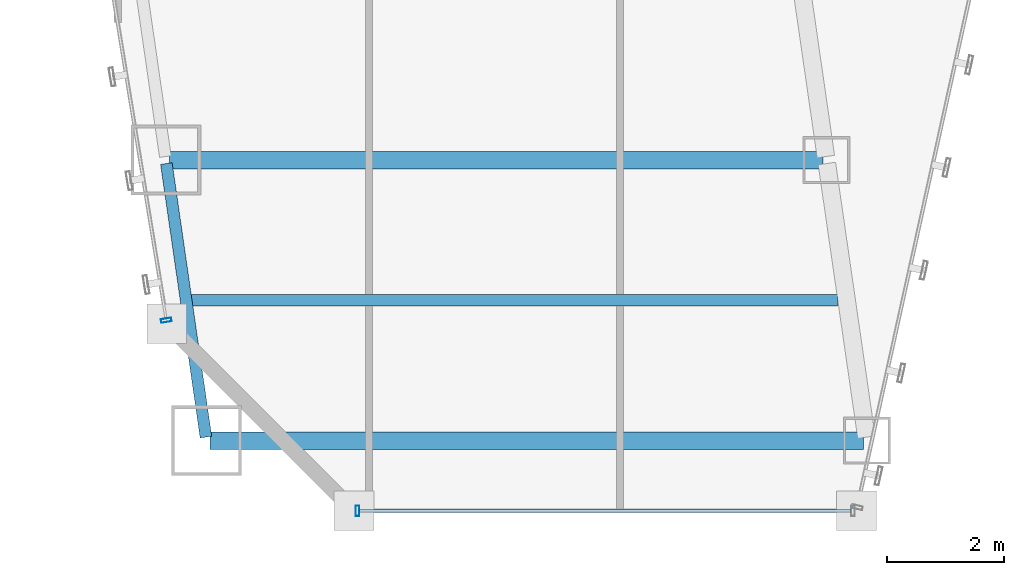
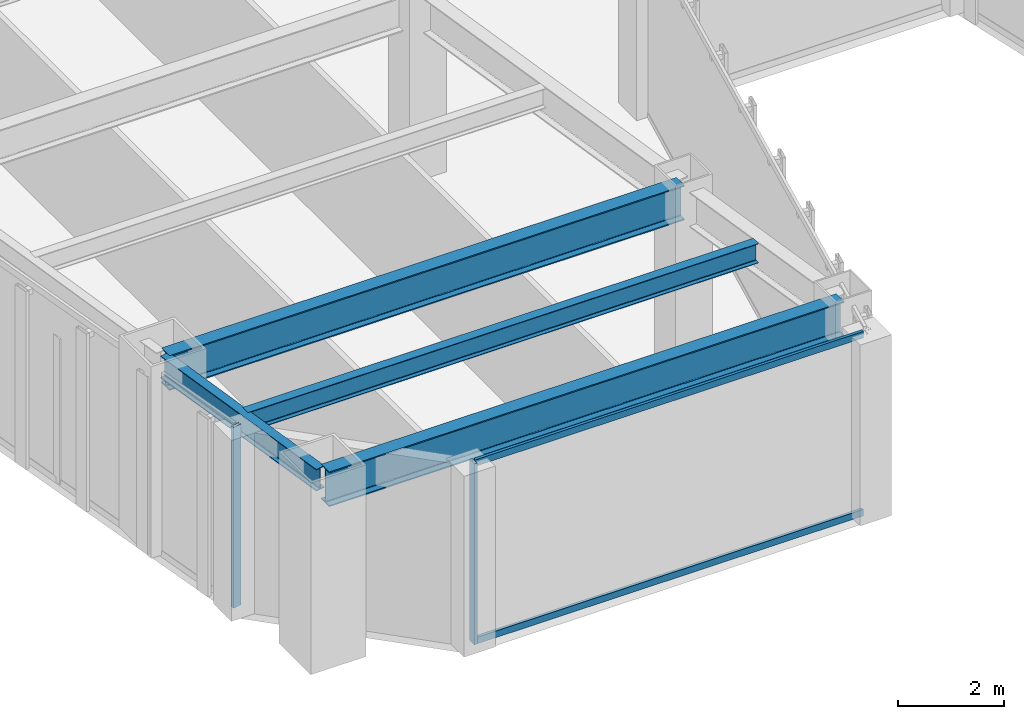
# One storey, part 4 of 47: 4 beams, 4 members, 2 elements without a shape of their own.
"""IFC4 building model written with IfcOpenShell, lengths in metres."""

from ifc_helpers import new_model, si_unit, direction, frame, origin, origin_2d, place, context, subcontext, project, spatial, hollow_rectangle, i_section, extrude, material, material_profile, profile_set, type_object, element, aggregate, save


model = new_model("IFC4")

# Units and contexts
model_context = context("Model", 3, precision=1e-05, world=origin(), true_north=direction((0.0, 1.0)))
body_context = subcontext(model_context, "Body", "Model", "MODEL_VIEW")
ifc_project = project(units=[si_unit("LENGTHUNIT", "METRE"), si_unit("AREAUNIT", "SQUARE_METRE"), si_unit("VOLUMEUNIT", "CUBIC_METRE"), si_unit("PLANEANGLEUNIT", "RADIAN"), si_unit("MASSUNIT", "GRAM", prefix="KILO")], contexts=[model_context])

# Site, building, storey
site_placement = place(None, origin())
site = spatial("IfcSite", under=ifc_project, at=site_placement, CompositionType="ELEMENT")
building_placement = place(site_placement, origin())
building = spatial("IfcBuilding", under=site, at=building_placement, Name="Saevonmaru Cultural Tower", CompositionType="ELEMENT")
storey_placement = place(building_placement, frame((0.0, 0.0, 78.0)))
storey = spatial("IfcBuildingStorey", under=building, at=storey_placement, Name="L16", CompositionType="ELEMENT", Elevation=78.0)

# Beams
ifc_material_1 = material(Name="Steel SM420", Category="steel")
ifc_material_profile_1 = material_profile(ifc_material_1, i_section(OverallWidth=0.300048828125, OverallDepth=0.800048828125, WebThickness=0.013916015625, FlangeThickness=0.02587890625, FilletRadius=0.028076171875, at=origin_2d()), Name="H-800x300x14x26")
ifc_profile_set_1 = profile_set([ifc_material_profile_1], Name="Steel SM420")
beam_type_1 = type_object("IfcBeamType", Name="BM-G-H800", PredefinedType="BEAM", material=ifc_profile_set_1)
for number, where, z_axis, x_axis, name in (
    (1, (12.537109375, 3.199951171875, 3.75), (1.0, 0.0, 0.0), (0.0, 1.0, 0.0), "L16 West Wing Transverse Girder 1"),
    (2, (11.843017578125, 8.0, 3.75), (1.0, 0.0, 0.0), (0.0, 1.0, 0.0), "L16 West Wing Transverse Girder 2"),
):
    element("IfcBeam", number, at=place(storey_placement, frame(where, z_axis=z_axis, x_axis=x_axis)), inside=storey, type_object=beam_type_1, Name=name, PredefinedType="BEAM", context=body_context, shape_type="SweptSolid", body=[
        extrude(i_section(OverallWidth=0.300048828125, OverallDepth=0.800048828125, WebThickness=0.013916015625, FlangeThickness=0.02587890625, FilletRadius=0.028076171875, at=origin_2d()), origin(), (0.0, 0.0, 1.0), 11.179931640625),
    ])
ifc_material_2 = material(Name="Steel SM355", Category="steel")
ifc_material_profile_2 = material_profile(ifc_material_2, i_section(OverallWidth=0.199951171875, OverallDepth=0.449951171875, WebThickness=0.009033203125, FlangeThickness=0.013916015625, FilletRadius=0.01806640625, at=origin_2d()), Name="H-450x200x9x14")
ifc_profile_set_2 = profile_set([ifc_material_profile_2], Name="Steel SM355")
beam_type_2 = type_object("IfcBeamType", Name="BM-J-H450", PredefinedType="JOIST", material=ifc_profile_set_2)
beam_1_placement = place(storey_placement, frame((12.18994140625, 5.60009765625, 3.925048828125), z_axis=(1.0, 0.0, 0.0), x_axis=(0.0, 1.0, 0.0)))
element("IfcBeam", 3, at=beam_1_placement, inside=storey, type_object=beam_type_2, Name="L16 West Wing Floor Joist 1", PredefinedType="JOIST", context=body_context, shape_type="SweptSolid", body=[
    extrude(i_section(OverallWidth=0.199951171875, OverallDepth=0.449951171875, WebThickness=0.009033203125, FlangeThickness=0.013916015625, FilletRadius=0.01806640625, at=origin_2d()), origin(), (0.0, 0.0, 1.0), 11.08203125),
])
ifc_material_profile_3 = material_profile(ifc_material_2, i_section(OverallWidth=0.199951171875, OverallDepth=0.5, WebThickness=0.010009765625, FlangeThickness=0.01611328125, FilletRadius=0.02001953125, at=origin_2d()), Name="H-500x200x10x16")
ifc_profile_set_3 = profile_set([ifc_material_profile_3], Name="Steel SM355")
beam_type_3 = type_object("IfcBeamType", Name="BM-SP-H500", PredefinedType="SPANDREL", material=ifc_profile_set_3)
beam_2_placement = place(storey_placement, frame((12.468505859375, 3.259521484375, 3.89990234375), z_axis=(-0.14313379491, 0.989703347855, 0.0), x_axis=(-0.989703347855, -0.14313379491, 0.0)))
element("IfcBeam", 4, at=beam_2_placement, inside=storey, type_object=beam_type_3, Name="L16 West Splayed Spandrel 1", PredefinedType="SPANDREL", context=body_context, shape_type="SweptSolid", body=[
    extrude(i_section(OverallWidth=0.199951171875, OverallDepth=0.5, WebThickness=0.010009765625, FlangeThickness=0.01611328125, FilletRadius=0.02001953125, at=origin_2d()), origin(), (0.0, 0.0, 1.0), 4.729736328125),
])

# Curtain wall, member
ifc_material_3 = material(Name="Satin Bronze Anodised Aluminium", Category="aluminium")
curtain_wall_type = type_object("IfcCurtainWallType", Name="CW-TYP-A", PredefinedType="NOTDEFINED", material=ifc_material_3)
curtain_wall_1_placement = place(storey_placement, origin())
curtain_wall_1 = element("IfcCurtainWall", 5, at=curtain_wall_1_placement, inside=storey, type_object=curtain_wall_type, Name="L16 Unitised Curtain Wall E2", PredefinedType="NOTDEFINED")
ifc_material_profile_4 = material_profile(ifc_material_3, hollow_rectangle(XDim=0.06494140625, YDim=0.179931640625, WallThickness=0.00390625, at=origin_2d()), Name="ALU-MULL-180x65x4")
ifc_profile_set_4 = profile_set([ifc_material_profile_4], Name="Satin Bronze Anodised Aluminium")
member_type_1 = type_object("IfcMemberType", Name="ML-CW-180x65", PredefinedType="MULLION", material=ifc_profile_set_4)
member_1_placement = place(storey_placement, frame((15.06005859375, 2.0, 0.0), z_axis=(0.0, 0.0, 1.0), x_axis=(1.0, 0.0, 0.0)))
member_1 = element("IfcMember", 6, at=member_1_placement, type_object=member_type_1, Name="CW-TW-L16-E2 mullion 1", PredefinedType="MULLION", context=body_context, shape_type="SweptSolid", body=[
    extrude(hollow_rectangle(XDim=0.06494140625, YDim=0.179931640625, WallThickness=0.00390625, at=origin_2d()), origin(), (0.0, 0.0, 1.0), 4.14990234375),
])

curtain_wall_2_placement = place(storey_placement, origin())
curtain_wall_2 = element("IfcCurtainWall", 7, at=curtain_wall_2_placement, inside=storey, type_object=curtain_wall_type, Name="L16 Unitised Curtain Wall E12", PredefinedType="NOTDEFINED")
member_2_placement = place(storey_placement, frame((11.790283203125, 5.25927734375, 0.0), z_axis=(0.0, 0.0, 1.0), x_axis=(0.161708868641, -0.986838508472, 0.0)))
member_2 = element("IfcMember", 8, at=member_2_placement, type_object=member_type_1, Name="CW-TW-L16-E12 mullion 5", PredefinedType="MULLION", context=body_context, shape_type="SweptSolid", body=[
    extrude(hollow_rectangle(XDim=0.06494140625, YDim=0.179931640625, WallThickness=0.00390625, at=origin_2d()), origin(), (0.0, 0.0, 1.0), 4.14990234375),
])
aggregate(curtain_wall_2, [member_2])

# Member
ifc_material_profile_5 = material_profile(ifc_material_3, hollow_rectangle(XDim=0.06494140625, YDim=0.14990234375, WallThickness=0.00390625, at=origin_2d()), Name="ALU-TRAN-150x65x4")
ifc_profile_set_5 = profile_set([ifc_material_profile_5], Name="Satin Bronze Anodised Aluminium")
member_type_2 = type_object("IfcMemberType", Name="TR-CW-150x65", PredefinedType="USERDEFINED", material=ifc_profile_set_5)
member_3_placement = place(storey_placement, frame((15.092529296875, 2.0, 0.032470703125), z_axis=(1.0, 0.0, 0.0), x_axis=(0.0, 1.0, 0.0)))
member_3 = element("IfcMember", 9, at=member_3_placement, type_object=member_type_2, Name="CW-TW-L16-E2 transom 1.1", ObjectType="TRANSOM", PredefinedType="USERDEFINED", context=body_context, shape_type="SweptSolid", body=[
    extrude(hollow_rectangle(XDim=0.06494140625, YDim=0.14990234375, WallThickness=0.00390625, at=origin_2d()), origin(), (0.0, 0.0, 1.0), 8.4150390625),
])

member_4_placement = place(storey_placement, frame((15.092529296875, 2.0, 4.117431640625), z_axis=(1.0, 0.0, 0.0), x_axis=(0.0, 1.0, 0.0)))
member_4 = element("IfcMember", 10, at=member_4_placement, type_object=member_type_2, Name="CW-TW-L16-E2 transom 1.2", ObjectType="TRANSOM", PredefinedType="USERDEFINED", context=body_context, shape_type="SweptSolid", body=[
    extrude(hollow_rectangle(XDim=0.06494140625, YDim=0.14990234375, WallThickness=0.00390625, at=origin_2d()), origin(), (0.0, 0.0, 1.0), 8.4150390625),
])

aggregate(curtain_wall_1, [member_1, member_3, member_4])

save(model, "model.ifc")
